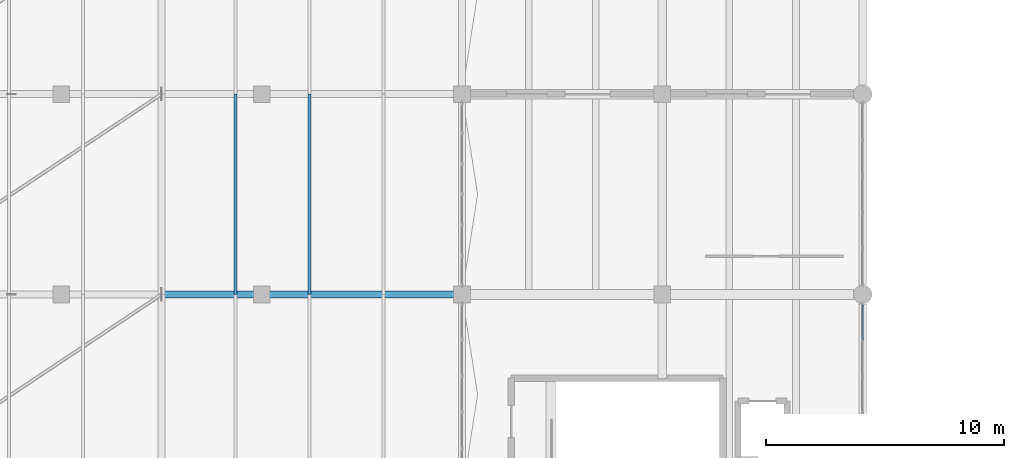
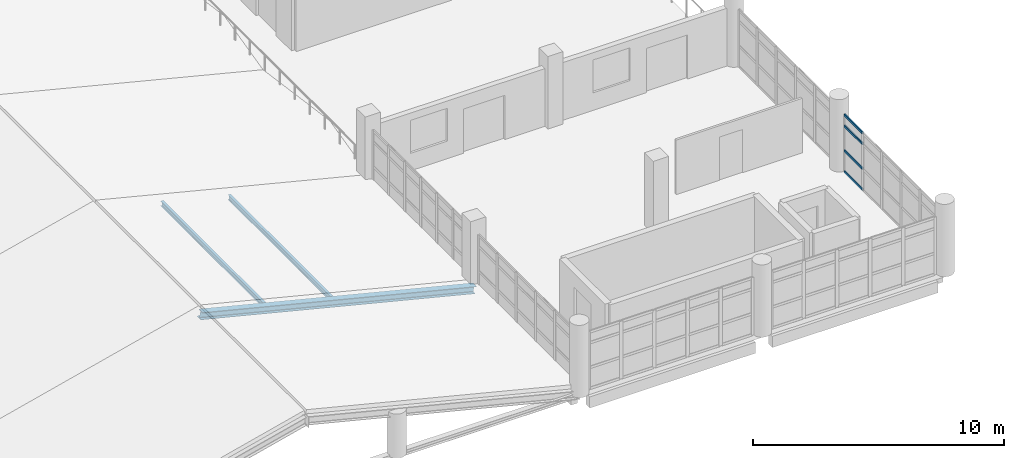
# One storey, part 55 of 95: 7 members, 1 element without a shape of its own.
"""IFC4 building model written with IfcOpenShell, lengths in metres."""

from ifc_helpers import new_model, si_unit, direction, frame, origin, origin_2d, place, context, subcontext, project, spatial, hollow_rectangle, i_section, extrude, material, layer, layer_set, material_profile, profile_set, type_object, element, aggregate, save


model = new_model("IFC4")

# Units and contexts
model_context = context("Model", 3, precision=1e-05, world=origin(), true_north=direction((0.0, 1.0)))
body_context = subcontext(model_context, "Body", "Model", "MODEL_VIEW")
ifc_project = project(units=[si_unit("LENGTHUNIT", "METRE"), si_unit("AREAUNIT", "SQUARE_METRE"), si_unit("VOLUMEUNIT", "CUBIC_METRE"), si_unit("PLANEANGLEUNIT", "RADIAN"), si_unit("MASSUNIT", "GRAM", prefix="KILO"), si_unit("THERMODYNAMICTEMPERATUREUNIT", "KELVIN"), si_unit("POWERUNIT", "WATT")], contexts=[model_context])

# Site, building, storey
site_placement = place(None, origin())
site = spatial("IfcSite", under=ifc_project, at=site_placement, CompositionType="ELEMENT")
building_placement = place(site_placement, origin())
building = spatial("IfcBuilding", under=site, at=building_placement, Name="Mavoryth Pier Ferry Terminal", CompositionType="ELEMENT")
storey_placement = place(building_placement, frame((0.0, 0.0, 9.60009765625)))
storey = spatial("IfcBuildingStorey", under=building, at=storey_placement, Name="L02", CompositionType="ELEMENT", Elevation=9.60009765625)

# Members
ifc_material_1 = material(Name="Steel S355J2", Category="steel")
ifc_material_profile_1 = material_profile(ifc_material_1, i_section(OverallWidth=0.1201171875, OverallDepth=0.239990234375, WebThickness=0.006103515625, FlangeThickness=0.009765625, FilletRadius=0.014892578125, at=origin_2d()), Name="IPE 240", Category="steel")
ifc_profile_set_1 = profile_set([ifc_material_profile_1], Name="Steel S355J2 - IPE 240")
member_type_1 = type_object("IfcMemberType", Name="Purlin-Roof-IPE240", PredefinedType="PURLIN", material=ifc_profile_set_1)
for number, where, z_axis, x_axis, name in (
    (1, (66.10009765625, 80.800048828125, 2.333740234375), (0.0, 1.0, 0.0), (-1.0, 0.0, 0.0), "Steel Member MB-L02-0217"),
    (2, (69.199951171875, 80.800048828125, 1.557373046875), (0.0, 1.0, 0.0), (-1.0, 0.0, 0.0), "Steel Member MB-L02-0218"),
):
    element("IfcMember", number, at=place(storey_placement, frame(where, z_axis=z_axis, x_axis=x_axis)), inside=storey, type_object=member_type_1, Name=name, PredefinedType="PURLIN", context=body_context, shape_type="SweptSolid", body=[
        extrude(i_section(OverallWidth=0.1201171875, OverallDepth=0.239990234375, WebThickness=0.006103515625, FlangeThickness=0.009765625, FilletRadius=0.014892578125, at=origin_2d()), origin(), (0.0, 0.0, 1.0), 8.39990234375),
    ])
ifc_material_profile_2 = material_profile(ifc_material_1, i_section(OverallWidth=0.300048828125, OverallDepth=0.340087890625, WebThickness=0.011962890625, FlangeThickness=0.021484375, FilletRadius=0.027099609375, at=origin_2d()), Name="HEB 340", Category="steel")
ifc_profile_set_2 = profile_set([ifc_material_profile_2], Name="Steel S355J2 - HEB 340")
member_type_2 = type_object("IfcMemberType", Name="Rafter-Pitched-HEB340", PredefinedType="RAFTER", material=ifc_profile_set_2)
member_1_placement = place(storey_placement, frame((63.0, 80.800048828125, 3.095703125), z_axis=(0.970299337146, 0.0, -0.241907412731), x_axis=(0.0, 1.0, 0.0)))
element("IfcMember", 3, at=member_1_placement, inside=storey, type_object=member_type_2, Name="Steel Member MB-L02-0194", PredefinedType="RAFTER", context=body_context, shape_type="SweptSolid", body=[
    extrude(i_section(OverallWidth=0.300048828125, OverallDepth=0.340087890625, WebThickness=0.011962890625, FlangeThickness=0.021484375, FilletRadius=0.027099609375, at=origin_2d()), origin(), (0.0, 0.0, 1.0), 12.98583984375),
])

# Curtain wall, members
ifc_material_2 = material(Name="Anodised Aluminium and Solar-Control Low-E Glass", Category="aluminium")
ifc_layer = layer(ifc_material_2, 0.159912109375, Name="Anodised Aluminium and Solar-Control Low-E Glass", Category="aluminium")
ifc_layer_set = layer_set([ifc_layer], Name="Anodised Aluminium and Solar-Control Low-E Glass - CW-Arrivals-Mod1400")
curtain_wall_type = type_object("IfcCurtainWallType", Name="CW-Arrivals-Mod1400", PredefinedType="USERDEFINED", material=ifc_layer_set)
curtain_wall_placement = place(storey_placement, origin())
curtain_wall = element("IfcCurtainWall", 4, at=curtain_wall_placement, inside=storey, type_object=curtain_wall_type, Name="Curtain Wall CW-0222-071", ObjectType="UNITISED CURTAIN WALL", PredefinedType="USERDEFINED")
ifc_material_3 = material(Name="Anodised Aluminium EN AW-6063", Category="aluminium")
ifc_material_profile_3 = material_profile(ifc_material_3, hollow_rectangle(XDim=0.06005859375, YDim=0.125, WallThickness=0.00390625, InnerFilletRadius=0.00390625, OuterFilletRadius=0.008056640625, at=origin_2d()), Name="AL-TRAN 125x60x4", Category="aluminium")
ifc_profile_set_3 = profile_set([ifc_material_profile_3], Name="Anodised Aluminium EN AW-6063 - AL-TRAN 125x60x4")
member_type_3 = type_object("IfcMemberType", Name="Transom-Alum-125x60", PredefinedType="USERDEFINED", material=ifc_profile_set_3)
member_2_placement = place(storey_placement, frame((92.39990234375, 78.916015625, 0.02978515625), z_axis=(0.0, 1.0, 0.0), x_axis=(-1.0, 0.0, 0.0)))
member_2 = element("IfcMember", 5, at=member_2_placement, type_object=member_type_3, Name="CW04 transom 5.1", ObjectType="TRANSOM", PredefinedType="USERDEFINED", context=body_context, shape_type="SweptSolid", body=[
    extrude(hollow_rectangle(XDim=0.06005859375, YDim=0.125, WallThickness=0.00390625, InnerFilletRadius=0.00390625, OuterFilletRadius=0.008056640625, at=origin_2d()), origin(), (0.0, 0.0, 1.0), 1.43408203125),
])
member_3_placement = place(storey_placement, frame((92.39990234375, 78.916015625, 1.0498046875), z_axis=(0.0, 1.0, 0.0), x_axis=(-1.0, 0.0, 0.0)))
member_3 = element("IfcMember", 6, at=member_3_placement, type_object=member_type_3, Name="CW04 transom 5.2", ObjectType="TRANSOM", PredefinedType="USERDEFINED", context=body_context, shape_type="SweptSolid", body=[
    extrude(hollow_rectangle(XDim=0.06005859375, YDim=0.125, WallThickness=0.00390625, InnerFilletRadius=0.00390625, OuterFilletRadius=0.008056640625, at=origin_2d()), origin(), (0.0, 0.0, 1.0), 1.43408203125),
])
member_4_placement = place(storey_placement, frame((92.39990234375, 78.916015625, 2.25), z_axis=(0.0, 1.0, 0.0), x_axis=(-1.0, 0.0, 0.0)))
member_4 = element("IfcMember", 7, at=member_4_placement, type_object=member_type_3, Name="CW04 transom 5.3", ObjectType="TRANSOM", PredefinedType="USERDEFINED", context=body_context, shape_type="SweptSolid", body=[
    extrude(hollow_rectangle(XDim=0.06005859375, YDim=0.125, WallThickness=0.00390625, InnerFilletRadius=0.00390625, OuterFilletRadius=0.008056640625, at=origin_2d()), origin(), (0.0, 0.0, 1.0), 1.43408203125),
])
member_5_placement = place(storey_placement, frame((92.39990234375, 78.916015625, 2.77490234375), z_axis=(0.0, 1.0, 0.0), x_axis=(-1.0, 0.0, 0.0)))
member_5 = element("IfcMember", 8, at=member_5_placement, type_object=member_type_3, Name="CW04 transom 5.4", ObjectType="TRANSOM", PredefinedType="USERDEFINED", context=body_context, shape_type="SweptSolid", body=[
    extrude(hollow_rectangle(XDim=0.06005859375, YDim=0.125, WallThickness=0.00390625, InnerFilletRadius=0.00390625, OuterFilletRadius=0.008056640625, at=origin_2d()), origin(), (0.0, 0.0, 1.0), 1.43408203125),
])
aggregate(curtain_wall, [member_2, member_3, member_4, member_5])

save(model, "model.ifc")
